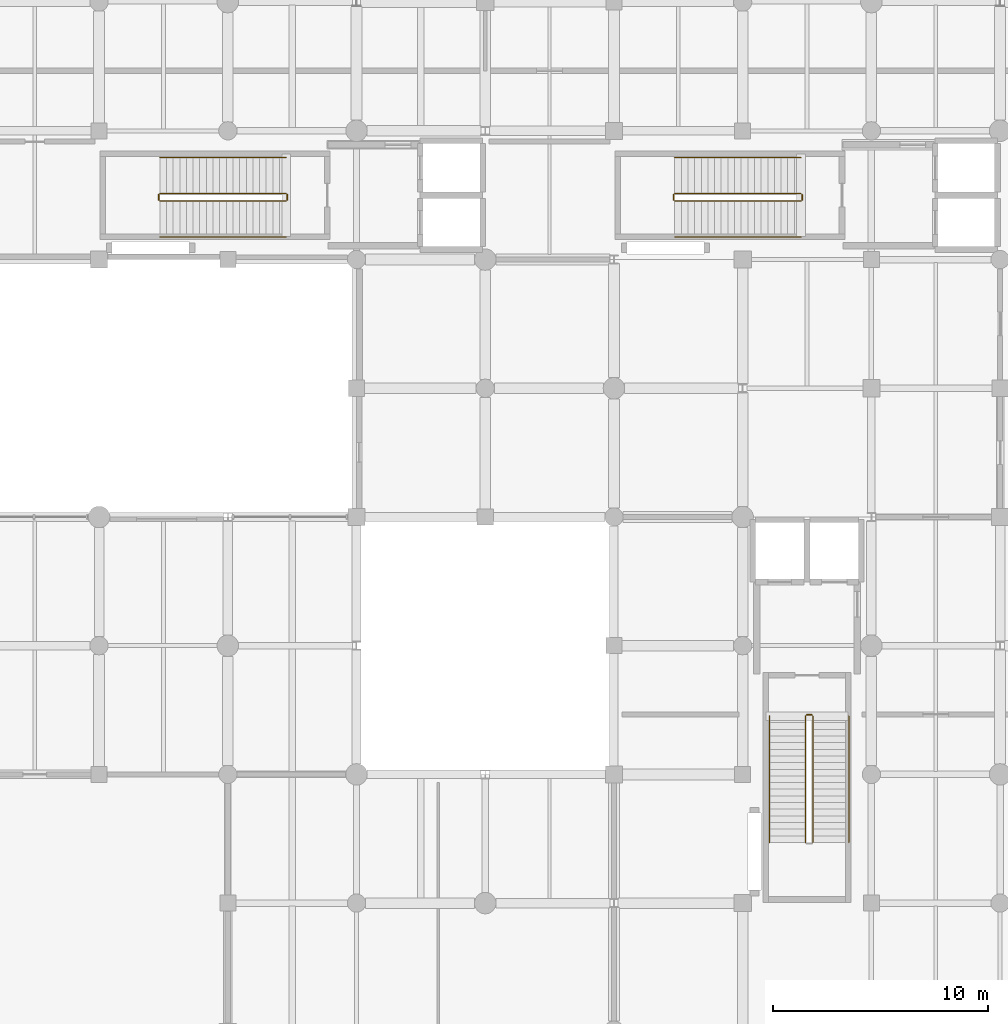
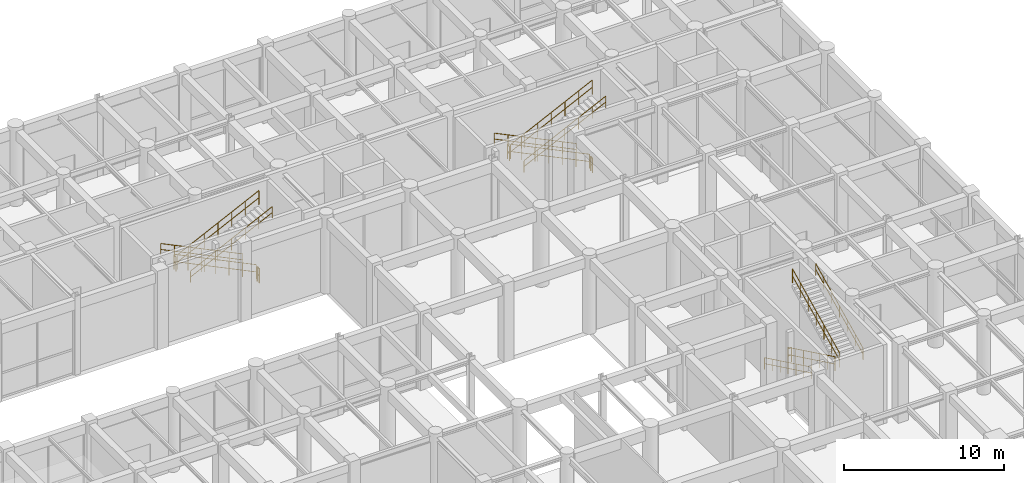
# One storey, part 106 of 106: 17 railings.
"""IFC4 building model written with IfcOpenShell, lengths in metres."""

from ifc_helpers import new_model, si_unit, direction, frame, origin, origin_2d, place, context, subcontext, project, spatial, circle, extrude, material, type_object, element, save


model = new_model("IFC4")

# Units and contexts
model_context = context("Model", 3, precision=1e-05, world=origin(), true_north=direction((0.0, 1.0)))
body_context = subcontext(model_context, "Body", "Model", "MODEL_VIEW")
ifc_project = project(units=[si_unit("LENGTHUNIT", "METRE"), si_unit("AREAUNIT", "SQUARE_METRE"), si_unit("VOLUMEUNIT", "CUBIC_METRE"), si_unit("PLANEANGLEUNIT", "RADIAN"), si_unit("MASSUNIT", "GRAM", prefix="KILO"), si_unit("THERMODYNAMICTEMPERATUREUNIT", "KELVIN"), si_unit("POWERUNIT", "WATT")], contexts=[model_context])

# Site, building, storey
site_placement = place(None, origin())
site = spatial("IfcSite", under=ifc_project, at=site_placement, CompositionType="ELEMENT")
building_placement = place(site_placement, origin())
building = spatial("IfcBuilding", under=site, at=building_placement, Name="Phaisarnlok Congress Hotel", CompositionType="ELEMENT")
storey_placement = place(building_placement, origin())
storey = spatial("IfcBuildingStorey", under=building, at=storey_placement, Name="L00", CompositionType="ELEMENT", Elevation=0.0)

# Railings
ifc_material_1 = material(Name="Painted Galvanised Steel S275", Category="steel")
railing_type_1 = type_object("IfcRailingType", Name="RLG-STR-GUARD", PredefinedType="BALUSTRADE", material=ifc_material_1)
railing_1_placement = place(storey_placement, frame((164.719970703125, 111.070068359375, 0.14990234375)))
element("IfcRailing", 1, at=railing_1_placement, inside=storey, type_object=railing_type_1, Name="L00 ST-05 stair guard 1", PredefinedType="BALUSTRADE", context=body_context, shape_type="SweptSolid", body=[
    extrude(circle(Radius=0.02392578125, at=origin_2d()), frame((0.0, 0.0, 1.076171875), z_axis=(-0.900150285036, 0.0, 0.435579458135), x_axis=(0.0, -1.0, 0.0)), (0.0, 0.0, 1.0), 6.543212890625),
    extrude(circle(Radius=0.02392578125, at=origin_2d()), frame((0.0, 0.0, 0.52587890625), z_axis=(-0.900150285036, 0.0, 0.435579458135), x_axis=(0.0, -1.0, 0.0)), (0.0, 0.0, 1.0), 6.543212890625),
    extrude(circle(Radius=0.02099609375, at=origin_2d()), origin(), (0.0, 0.0, 1.0), 1.052001953125),
    extrude(circle(Radius=0.02099609375, at=origin_2d()), frame((-0.981689453125, 0.0, 0.47509765625)), (0.0, 0.0, 1.0), 1.052001953125),
    extrude(circle(Radius=0.02099609375, at=origin_2d()), frame((-1.96337890625, 0.0, 0.949951171875)), (0.0, 0.0, 1.0), 1.052001953125),
    extrude(circle(Radius=0.02099609375, at=origin_2d()), frame((-2.94482421875, 0.0, 1.425048828125)), (0.0, 0.0, 1.0), 1.052001953125),
    extrude(circle(Radius=0.02099609375, at=origin_2d()), frame((-3.926513671875, 0.0, 1.900146484375)), (0.0, 0.0, 1.0), 1.052001953125),
    extrude(circle(Radius=0.02099609375, at=origin_2d()), frame((-4.908203125, 0.0, 2.375)), (0.0, 0.0, 1.0), 1.052001953125),
    extrude(circle(Radius=0.02099609375, at=origin_2d()), frame((-5.889892578125, 0.0, 2.85009765625)), (0.0, 0.0, 1.0), 1.052001953125),
])
railing_2_placement = place(storey_placement, frame((158.780029296875, 111.02001953125, 3.0)))
element("IfcRailing", 2, at=railing_2_placement, inside=storey, type_object=railing_type_1, Name="L00 ST-05 stair guard 2", PredefinedType="BALUSTRADE", context=body_context, shape_type="SweptSolid", body=[
    extrude(circle(Radius=0.02392578125, at=origin_2d()), frame((0.0, 0.0, 1.076171875), z_axis=(0.0, -1.0, 0.0), x_axis=(1.0, 0.0, 0.0)), (0.0, 0.0, 1.0), 0.239990234375),
    extrude(circle(Radius=0.02392578125, at=origin_2d()), frame((0.0, 0.0, 0.52587890625), z_axis=(0.0, -1.0, 0.0), x_axis=(1.0, 0.0, 0.0)), (0.0, 0.0, 1.0), 0.239990234375),
    extrude(circle(Radius=0.02099609375, at=origin_2d()), origin(), (0.0, 0.0, 1.0), 1.052001953125),
    extrude(circle(Radius=0.02099609375, at=origin_2d()), frame((0.0, -0.239990234375, 0.0)), (0.0, 0.0, 1.0), 1.052001953125),
])
railing_3_placement = place(storey_placement, frame((158.830078125, 110.72998046875, 3.14990234375)))
element("IfcRailing", 3, at=railing_3_placement, inside=storey, type_object=railing_type_1, Name="L00 ST-05 stair guard 3", PredefinedType="BALUSTRADE", context=body_context, shape_type="SweptSolid", body=[
    extrude(circle(Radius=0.02392578125, at=origin_2d()), frame((0.0, 0.0, 1.076171875), z_axis=(0.900150285036, 0.0, 0.435579458135), x_axis=(0.0, 1.0, 0.0)), (0.0, 0.0, 1.0), 6.543212890625),
    extrude(circle(Radius=0.02392578125, at=origin_2d()), frame((0.0, 0.0, 0.52587890625), z_axis=(0.900150285036, 0.0, 0.435579458135), x_axis=(0.0, 1.0, 0.0)), (0.0, 0.0, 1.0), 6.543212890625),
    extrude(circle(Radius=0.02099609375, at=origin_2d()), origin(), (0.0, 0.0, 1.0), 1.052001953125),
    extrude(circle(Radius=0.02099609375, at=origin_2d()), frame((0.981689453125, 0.0, 0.47509765625)), (0.0, 0.0, 1.0), 1.052001953125),
    extrude(circle(Radius=0.02099609375, at=origin_2d()), frame((1.96337890625, 0.0, 0.949951171875)), (0.0, 0.0, 1.0), 1.052001953125),
    extrude(circle(Radius=0.02099609375, at=origin_2d()), frame((2.94482421875, 0.0, 1.425048828125)), (0.0, 0.0, 1.0), 1.052001953125),
    extrude(circle(Radius=0.02099609375, at=origin_2d()), frame((3.926513671875, 0.0, 1.900146484375)), (0.0, 0.0, 1.0), 1.052001953125),
    extrude(circle(Radius=0.02099609375, at=origin_2d()), frame((4.908203125, 0.0, 2.375)), (0.0, 0.0, 1.0), 1.052001953125),
    extrude(circle(Radius=0.02099609375, at=origin_2d()), frame((5.889892578125, 0.0, 2.85009765625)), (0.0, 0.0, 1.0), 1.052001953125),
])
railing_4_placement = place(storey_placement, frame((164.77001953125, 111.02001953125, 0.0)))
element("IfcRailing", 4, at=railing_4_placement, inside=storey, type_object=railing_type_1, Name="L00 ST-05 stair guard 4", PredefinedType="BALUSTRADE", context=body_context, shape_type="SweptSolid", body=[
    extrude(circle(Radius=0.02392578125, at=origin_2d()), frame((0.0, 0.0, 1.076171875), z_axis=(0.0, -1.0, 0.0), x_axis=(1.0, 0.0, 0.0)), (0.0, 0.0, 1.0), 0.239990234375),
    extrude(circle(Radius=0.02392578125, at=origin_2d()), frame((0.0, 0.0, 0.52587890625), z_axis=(0.0, -1.0, 0.0), x_axis=(1.0, 0.0, 0.0)), (0.0, 0.0, 1.0), 0.239990234375),
    extrude(circle(Radius=0.02099609375, at=origin_2d()), origin(), (0.0, 0.0, 1.0), 1.052001953125),
    extrude(circle(Radius=0.02099609375, at=origin_2d()), frame((0.0, -0.239990234375, 0.0)), (0.0, 0.0, 1.0), 1.052001953125),
])
railing_5_placement = place(storey_placement, frame((140.719970703125, 111.070068359375, 0.14990234375)))
element("IfcRailing", 5, at=railing_5_placement, inside=storey, type_object=railing_type_1, Name="L00 ST-06 stair guard 1", PredefinedType="BALUSTRADE", context=body_context, shape_type="SweptSolid", body=[
    extrude(circle(Radius=0.02392578125, at=origin_2d()), frame((0.0, 0.0, 1.076171875), z_axis=(-0.900150285036, 0.0, 0.435579458135), x_axis=(0.0, -1.0, 0.0)), (0.0, 0.0, 1.0), 6.543212890625),
    extrude(circle(Radius=0.02392578125, at=origin_2d()), frame((0.0, 0.0, 0.52587890625), z_axis=(-0.900150285036, 0.0, 0.435579458135), x_axis=(0.0, -1.0, 0.0)), (0.0, 0.0, 1.0), 6.543212890625),
    extrude(circle(Radius=0.02099609375, at=origin_2d()), origin(), (0.0, 0.0, 1.0), 1.052001953125),
    extrude(circle(Radius=0.02099609375, at=origin_2d()), frame((-0.981689453125, 0.0, 0.47509765625)), (0.0, 0.0, 1.0), 1.052001953125),
    extrude(circle(Radius=0.02099609375, at=origin_2d()), frame((-1.96337890625, 0.0, 0.949951171875)), (0.0, 0.0, 1.0), 1.052001953125),
    extrude(circle(Radius=0.02099609375, at=origin_2d()), frame((-2.94482421875, 0.0, 1.425048828125)), (0.0, 0.0, 1.0), 1.052001953125),
    extrude(circle(Radius=0.02099609375, at=origin_2d()), frame((-3.926513671875, 0.0, 1.900146484375)), (0.0, 0.0, 1.0), 1.052001953125),
    extrude(circle(Radius=0.02099609375, at=origin_2d()), frame((-4.908203125, 0.0, 2.375)), (0.0, 0.0, 1.0), 1.052001953125),
    extrude(circle(Radius=0.02099609375, at=origin_2d()), frame((-5.889892578125, 0.0, 2.85009765625)), (0.0, 0.0, 1.0), 1.052001953125),
])
railing_6_placement = place(storey_placement, frame((134.780029296875, 111.02001953125, 3.0)))
element("IfcRailing", 6, at=railing_6_placement, inside=storey, type_object=railing_type_1, Name="L00 ST-06 stair guard 2", PredefinedType="BALUSTRADE", context=body_context, shape_type="SweptSolid", body=[
    extrude(circle(Radius=0.02392578125, at=origin_2d()), frame((0.0, 0.0, 1.076171875), z_axis=(0.0, -1.0, 0.0), x_axis=(1.0, 0.0, 0.0)), (0.0, 0.0, 1.0), 0.239990234375),
    extrude(circle(Radius=0.02392578125, at=origin_2d()), frame((0.0, 0.0, 0.52587890625), z_axis=(0.0, -1.0, 0.0), x_axis=(1.0, 0.0, 0.0)), (0.0, 0.0, 1.0), 0.239990234375),
    extrude(circle(Radius=0.02099609375, at=origin_2d()), origin(), (0.0, 0.0, 1.0), 1.052001953125),
    extrude(circle(Radius=0.02099609375, at=origin_2d()), frame((0.0, -0.239990234375, 0.0)), (0.0, 0.0, 1.0), 1.052001953125),
])
railing_7_placement = place(storey_placement, frame((134.830078125, 110.72998046875, 3.14990234375)))
element("IfcRailing", 7, at=railing_7_placement, inside=storey, type_object=railing_type_1, Name="L00 ST-06 stair guard 3", PredefinedType="BALUSTRADE", context=body_context, shape_type="SweptSolid", body=[
    extrude(circle(Radius=0.02392578125, at=origin_2d()), frame((0.0, 0.0, 1.076171875), z_axis=(0.900150285036, 0.0, 0.435579458135), x_axis=(0.0, 1.0, 0.0)), (0.0, 0.0, 1.0), 6.543212890625),
    extrude(circle(Radius=0.02392578125, at=origin_2d()), frame((0.0, 0.0, 0.52587890625), z_axis=(0.900150285036, 0.0, 0.435579458135), x_axis=(0.0, 1.0, 0.0)), (0.0, 0.0, 1.0), 6.543212890625),
    extrude(circle(Radius=0.02099609375, at=origin_2d()), origin(), (0.0, 0.0, 1.0), 1.052001953125),
    extrude(circle(Radius=0.02099609375, at=origin_2d()), frame((0.981689453125, 0.0, 0.47509765625)), (0.0, 0.0, 1.0), 1.052001953125),
    extrude(circle(Radius=0.02099609375, at=origin_2d()), frame((1.96337890625, 0.0, 0.949951171875)), (0.0, 0.0, 1.0), 1.052001953125),
    extrude(circle(Radius=0.02099609375, at=origin_2d()), frame((2.94482421875, 0.0, 1.425048828125)), (0.0, 0.0, 1.0), 1.052001953125),
    extrude(circle(Radius=0.02099609375, at=origin_2d()), frame((3.926513671875, 0.0, 1.900146484375)), (0.0, 0.0, 1.0), 1.052001953125),
    extrude(circle(Radius=0.02099609375, at=origin_2d()), frame((4.908203125, 0.0, 2.375)), (0.0, 0.0, 1.0), 1.052001953125),
    extrude(circle(Radius=0.02099609375, at=origin_2d()), frame((5.889892578125, 0.0, 2.85009765625)), (0.0, 0.0, 1.0), 1.052001953125),
])
railing_8_placement = place(storey_placement, frame((140.77001953125, 111.02001953125, 0.0)))
element("IfcRailing", 8, at=railing_8_placement, inside=storey, type_object=railing_type_1, Name="L00 ST-06 stair guard 4", PredefinedType="BALUSTRADE", context=body_context, shape_type="SweptSolid", body=[
    extrude(circle(Radius=0.02392578125, at=origin_2d()), frame((0.0, 0.0, 1.076171875), z_axis=(0.0, -1.0, 0.0), x_axis=(1.0, 0.0, 0.0)), (0.0, 0.0, 1.0), 0.239990234375),
    extrude(circle(Radius=0.02392578125, at=origin_2d()), frame((0.0, 0.0, 0.52587890625), z_axis=(0.0, -1.0, 0.0), x_axis=(1.0, 0.0, 0.0)), (0.0, 0.0, 1.0), 0.239990234375),
    extrude(circle(Radius=0.02099609375, at=origin_2d()), origin(), (0.0, 0.0, 1.0), 1.052001953125),
    extrude(circle(Radius=0.02099609375, at=origin_2d()), frame((0.0, -0.239990234375, 0.0)), (0.0, 0.0, 1.0), 1.052001953125),
])
railing_9_placement = place(storey_placement, frame((164.929931640625, 86.719970703125, 0.14990234375)))
element("IfcRailing", 9, at=railing_9_placement, inside=storey, type_object=railing_type_1, Name="L00 ST-09 stair guard 1", PredefinedType="BALUSTRADE", context=body_context, shape_type="SweptSolid", body=[
    extrude(circle(Radius=0.02392578125, at=origin_2d()), frame((0.0, 0.0, 1.076171875), z_axis=(0.0, -0.900150285036, 0.435579458135), x_axis=(1.0, 0.0, 0.0)), (0.0, 0.0, 1.0), 6.543212890625),
    extrude(circle(Radius=0.02392578125, at=origin_2d()), frame((0.0, 0.0, 0.52587890625), z_axis=(0.0, -0.900150285036, 0.435579458135), x_axis=(1.0, 0.0, 0.0)), (0.0, 0.0, 1.0), 6.543212890625),
    extrude(circle(Radius=0.02099609375, at=origin_2d()), origin(), (0.0, 0.0, 1.0), 1.052001953125),
    extrude(circle(Radius=0.02099609375, at=origin_2d()), frame((0.0, -0.981689453125, 0.47509765625)), (0.0, 0.0, 1.0), 1.052001953125),
    extrude(circle(Radius=0.02099609375, at=origin_2d()), frame((0.0, -1.96337890625, 0.949951171875)), (0.0, 0.0, 1.0), 1.052001953125),
    extrude(circle(Radius=0.02099609375, at=origin_2d()), frame((0.0, -2.94482421875, 1.425048828125)), (0.0, 0.0, 1.0), 1.052001953125),
    extrude(circle(Radius=0.02099609375, at=origin_2d()), frame((0.0, -3.926513671875, 1.900146484375)), (0.0, 0.0, 1.0), 1.052001953125),
    extrude(circle(Radius=0.02099609375, at=origin_2d()), frame((0.0, -4.908203125, 2.375)), (0.0, 0.0, 1.0), 1.052001953125),
    extrude(circle(Radius=0.02099609375, at=origin_2d()), frame((0.0, -5.889892578125, 2.85009765625)), (0.0, 0.0, 1.0), 1.052001953125),
])
railing_10_placement = place(storey_placement, frame((165.27001953125, 80.830078125, 3.14990234375)))
element("IfcRailing", 10, at=railing_10_placement, inside=storey, type_object=railing_type_1, Name="L00 ST-09 stair guard 3", PredefinedType="BALUSTRADE", context=body_context, shape_type="SweptSolid", body=[
    extrude(circle(Radius=0.02392578125, at=origin_2d()), frame((0.0, 0.0, 1.076171875), z_axis=(0.0, 0.900150285036, 0.435579458135), x_axis=(-1.0, 0.0, 0.0)), (0.0, 0.0, 1.0), 6.543212890625),
    extrude(circle(Radius=0.02392578125, at=origin_2d()), frame((0.0, 0.0, 0.52587890625), z_axis=(0.0, 0.900150285036, 0.435579458135), x_axis=(-1.0, 0.0, 0.0)), (0.0, 0.0, 1.0), 6.543212890625),
    extrude(circle(Radius=0.02099609375, at=origin_2d()), origin(), (0.0, 0.0, 1.0), 1.052001953125),
    extrude(circle(Radius=0.02099609375, at=origin_2d()), frame((0.0, 0.981689453125, 0.47509765625)), (0.0, 0.0, 1.0), 1.052001953125),
    extrude(circle(Radius=0.02099609375, at=origin_2d()), frame((0.0, 1.96337890625, 0.949951171875)), (0.0, 0.0, 1.0), 1.052001953125),
    extrude(circle(Radius=0.02099609375, at=origin_2d()), frame((0.0, 2.94482421875, 1.425048828125)), (0.0, 0.0, 1.0), 1.052001953125),
    extrude(circle(Radius=0.02099609375, at=origin_2d()), frame((0.0, 3.926513671875, 1.900146484375)), (0.0, 0.0, 1.0), 1.052001953125),
    extrude(circle(Radius=0.02099609375, at=origin_2d()), frame((0.0, 4.908203125, 2.375)), (0.0, 0.0, 1.0), 1.052001953125),
    extrude(circle(Radius=0.02099609375, at=origin_2d()), frame((0.0, 5.889892578125, 2.85009765625)), (0.0, 0.0, 1.0), 1.052001953125),
])
railing_11_placement = place(storey_placement, frame((164.97998046875, 86.77001953125, 0.0)))
element("IfcRailing", 11, at=railing_11_placement, inside=storey, type_object=railing_type_1, Name="L00 ST-09 stair guard 4", PredefinedType="BALUSTRADE", context=body_context, shape_type="SweptSolid", body=[
    extrude(circle(Radius=0.02392578125, at=origin_2d()), frame((0.0, 0.0, 1.076171875), z_axis=(1.0, 0.0, 0.0), x_axis=(0.0, 1.0, 0.0)), (0.0, 0.0, 1.0), 0.239990234375),
    extrude(circle(Radius=0.02392578125, at=origin_2d()), frame((0.0, 0.0, 0.52587890625), z_axis=(1.0, 0.0, 0.0), x_axis=(0.0, 1.0, 0.0)), (0.0, 0.0, 1.0), 0.239990234375),
    extrude(circle(Radius=0.02099609375, at=origin_2d()), origin(), (0.0, 0.0, 1.0), 1.052001953125),
    extrude(circle(Radius=0.02099609375, at=origin_2d()), frame((0.239990234375, 0.0, 0.0)), (0.0, 0.0, 1.0), 1.052001953125),
])
ifc_material_2 = material(Name="Brushed Stainless Steel Grade 304", Category="steel")
railing_type_2 = type_object("IfcRailingType", Name="RLG-STR-HRAIL", PredefinedType="HANDRAIL", material=ifc_material_2)
railing_12_placement = place(storey_placement, frame((164.719970703125, 112.75, 0.14990234375)))
element("IfcRailing", 12, at=railing_12_placement, inside=storey, type_object=railing_type_2, Name="L00 ST-05 stair handrail 1", PredefinedType="HANDRAIL", context=body_context, shape_type="SweptSolid", body=[
    extrude(circle(Radius=0.02392578125, at=origin_2d()), frame((0.0, 0.0, 0.8759765625), z_axis=(-0.900150285036, 0.0, 0.435579458135), x_axis=(0.0, -1.0, 0.0)), (0.0, 0.0, 1.0), 6.543212890625),
    extrude(circle(Radius=0.02392578125, at=origin_2d()), frame((0.0, 0.0, 0.42578125), z_axis=(-0.900150285036, 0.0, 0.435579458135), x_axis=(0.0, -1.0, 0.0)), (0.0, 0.0, 1.0), 6.543212890625),
    extrude(circle(Radius=0.02099609375, at=origin_2d()), origin(), (0.0, 0.0, 1.0), 0.851806640625),
    extrude(circle(Radius=0.02099609375, at=origin_2d()), frame((-0.981689453125, 0.0, 0.47509765625)), (0.0, 0.0, 1.0), 0.851806640625),
    extrude(circle(Radius=0.02099609375, at=origin_2d()), frame((-1.96337890625, 0.0, 0.949951171875)), (0.0, 0.0, 1.0), 0.851806640625),
    extrude(circle(Radius=0.02099609375, at=origin_2d()), frame((-2.94482421875, 0.0, 1.425048828125)), (0.0, 0.0, 1.0), 0.851806640625),
    extrude(circle(Radius=0.02099609375, at=origin_2d()), frame((-3.926513671875, 0.0, 1.900146484375)), (0.0, 0.0, 1.0), 0.851806640625),
    extrude(circle(Radius=0.02099609375, at=origin_2d()), frame((-4.908203125, 0.0, 2.375)), (0.0, 0.0, 1.0), 0.851806640625),
    extrude(circle(Radius=0.02099609375, at=origin_2d()), frame((-5.889892578125, 0.0, 2.85009765625)), (0.0, 0.0, 1.0), 0.851806640625),
])
railing_13_placement = place(storey_placement, frame((158.830078125, 109.050048828125, 3.14990234375)))
element("IfcRailing", 13, at=railing_13_placement, inside=storey, type_object=railing_type_2, Name="L00 ST-05 stair handrail 2", PredefinedType="HANDRAIL", context=body_context, shape_type="SweptSolid", body=[
    extrude(circle(Radius=0.02392578125, at=origin_2d()), frame((0.0, 0.0, 0.8759765625), z_axis=(0.900150285036, 0.0, 0.435579458135), x_axis=(0.0, 1.0, 0.0)), (0.0, 0.0, 1.0), 6.543212890625),
    extrude(circle(Radius=0.02392578125, at=origin_2d()), frame((0.0, 0.0, 0.42578125), z_axis=(0.900150285036, 0.0, 0.435579458135), x_axis=(0.0, 1.0, 0.0)), (0.0, 0.0, 1.0), 6.543212890625),
    extrude(circle(Radius=0.02099609375, at=origin_2d()), origin(), (0.0, 0.0, 1.0), 0.851806640625),
    extrude(circle(Radius=0.02099609375, at=origin_2d()), frame((0.981689453125, 0.0, 0.47509765625)), (0.0, 0.0, 1.0), 0.851806640625),
    extrude(circle(Radius=0.02099609375, at=origin_2d()), frame((1.96337890625, 0.0, 0.949951171875)), (0.0, 0.0, 1.0), 0.851806640625),
    extrude(circle(Radius=0.02099609375, at=origin_2d()), frame((2.94482421875, 0.0, 1.425048828125)), (0.0, 0.0, 1.0), 0.851806640625),
    extrude(circle(Radius=0.02099609375, at=origin_2d()), frame((3.926513671875, 0.0, 1.900146484375)), (0.0, 0.0, 1.0), 0.851806640625),
    extrude(circle(Radius=0.02099609375, at=origin_2d()), frame((4.908203125, 0.0, 2.375)), (0.0, 0.0, 1.0), 0.851806640625),
    extrude(circle(Radius=0.02099609375, at=origin_2d()), frame((5.889892578125, 0.0, 2.85009765625)), (0.0, 0.0, 1.0), 0.851806640625),
])
railing_14_placement = place(storey_placement, frame((140.719970703125, 112.75, 0.14990234375)))
element("IfcRailing", 14, at=railing_14_placement, inside=storey, type_object=railing_type_2, Name="L00 ST-06 stair handrail 1", PredefinedType="HANDRAIL", context=body_context, shape_type="SweptSolid", body=[
    extrude(circle(Radius=0.02392578125, at=origin_2d()), frame((0.0, 0.0, 0.8759765625), z_axis=(-0.900150285036, 0.0, 0.435579458135), x_axis=(0.0, -1.0, 0.0)), (0.0, 0.0, 1.0), 6.543212890625),
    extrude(circle(Radius=0.02392578125, at=origin_2d()), frame((0.0, 0.0, 0.42578125), z_axis=(-0.900150285036, 0.0, 0.435579458135), x_axis=(0.0, -1.0, 0.0)), (0.0, 0.0, 1.0), 6.543212890625),
    extrude(circle(Radius=0.02099609375, at=origin_2d()), origin(), (0.0, 0.0, 1.0), 0.851806640625),
    extrude(circle(Radius=0.02099609375, at=origin_2d()), frame((-0.981689453125, 0.0, 0.47509765625)), (0.0, 0.0, 1.0), 0.851806640625),
    extrude(circle(Radius=0.02099609375, at=origin_2d()), frame((-1.96337890625, 0.0, 0.949951171875)), (0.0, 0.0, 1.0), 0.851806640625),
    extrude(circle(Radius=0.02099609375, at=origin_2d()), frame((-2.94482421875, 0.0, 1.425048828125)), (0.0, 0.0, 1.0), 0.851806640625),
    extrude(circle(Radius=0.02099609375, at=origin_2d()), frame((-3.926513671875, 0.0, 1.900146484375)), (0.0, 0.0, 1.0), 0.851806640625),
    extrude(circle(Radius=0.02099609375, at=origin_2d()), frame((-4.908203125, 0.0, 2.375)), (0.0, 0.0, 1.0), 0.851806640625),
    extrude(circle(Radius=0.02099609375, at=origin_2d()), frame((-5.889892578125, 0.0, 2.85009765625)), (0.0, 0.0, 1.0), 0.851806640625),
])
railing_15_placement = place(storey_placement, frame((134.830078125, 109.050048828125, 3.14990234375)))
element("IfcRailing", 15, at=railing_15_placement, inside=storey, type_object=railing_type_2, Name="L00 ST-06 stair handrail 2", PredefinedType="HANDRAIL", context=body_context, shape_type="SweptSolid", body=[
    extrude(circle(Radius=0.02392578125, at=origin_2d()), frame((0.0, 0.0, 0.8759765625), z_axis=(0.900150285036, 0.0, 0.435579458135), x_axis=(0.0, 1.0, 0.0)), (0.0, 0.0, 1.0), 6.543212890625),
    extrude(circle(Radius=0.02392578125, at=origin_2d()), frame((0.0, 0.0, 0.42578125), z_axis=(0.900150285036, 0.0, 0.435579458135), x_axis=(0.0, 1.0, 0.0)), (0.0, 0.0, 1.0), 6.543212890625),
    extrude(circle(Radius=0.02099609375, at=origin_2d()), origin(), (0.0, 0.0, 1.0), 0.851806640625),
    extrude(circle(Radius=0.02099609375, at=origin_2d()), frame((0.981689453125, 0.0, 0.47509765625)), (0.0, 0.0, 1.0), 0.851806640625),
    extrude(circle(Radius=0.02099609375, at=origin_2d()), frame((1.96337890625, 0.0, 0.949951171875)), (0.0, 0.0, 1.0), 0.851806640625),
    extrude(circle(Radius=0.02099609375, at=origin_2d()), frame((2.94482421875, 0.0, 1.425048828125)), (0.0, 0.0, 1.0), 0.851806640625),
    extrude(circle(Radius=0.02099609375, at=origin_2d()), frame((3.926513671875, 0.0, 1.900146484375)), (0.0, 0.0, 1.0), 0.851806640625),
    extrude(circle(Radius=0.02099609375, at=origin_2d()), frame((4.908203125, 0.0, 2.375)), (0.0, 0.0, 1.0), 0.851806640625),
    extrude(circle(Radius=0.02099609375, at=origin_2d()), frame((5.889892578125, 0.0, 2.85009765625)), (0.0, 0.0, 1.0), 0.851806640625),
])
railing_16_placement = place(storey_placement, frame((163.25, 86.719970703125, 0.14990234375)))
element("IfcRailing", 16, at=railing_16_placement, inside=storey, type_object=railing_type_2, Name="L00 ST-09 stair handrail 1", PredefinedType="HANDRAIL", context=body_context, shape_type="SweptSolid", body=[
    extrude(circle(Radius=0.02392578125, at=origin_2d()), frame((0.0, 0.0, 0.8759765625), z_axis=(0.0, -0.900150285036, 0.435579458135), x_axis=(1.0, 0.0, 0.0)), (0.0, 0.0, 1.0), 6.543212890625),
    extrude(circle(Radius=0.02392578125, at=origin_2d()), frame((0.0, 0.0, 0.42578125), z_axis=(0.0, -0.900150285036, 0.435579458135), x_axis=(1.0, 0.0, 0.0)), (0.0, 0.0, 1.0), 6.543212890625),
    extrude(circle(Radius=0.02099609375, at=origin_2d()), origin(), (0.0, 0.0, 1.0), 0.851806640625),
    extrude(circle(Radius=0.02099609375, at=origin_2d()), frame((0.0, -0.981689453125, 0.47509765625)), (0.0, 0.0, 1.0), 0.851806640625),
    extrude(circle(Radius=0.02099609375, at=origin_2d()), frame((0.0, -1.96337890625, 0.949951171875)), (0.0, 0.0, 1.0), 0.851806640625),
    extrude(circle(Radius=0.02099609375, at=origin_2d()), frame((0.0, -2.94482421875, 1.425048828125)), (0.0, 0.0, 1.0), 0.851806640625),
    extrude(circle(Radius=0.02099609375, at=origin_2d()), frame((0.0, -3.926513671875, 1.900146484375)), (0.0, 0.0, 1.0), 0.851806640625),
    extrude(circle(Radius=0.02099609375, at=origin_2d()), frame((0.0, -4.908203125, 2.375)), (0.0, 0.0, 1.0), 0.851806640625),
    extrude(circle(Radius=0.02099609375, at=origin_2d()), frame((0.0, -5.889892578125, 2.85009765625)), (0.0, 0.0, 1.0), 0.851806640625),
])
railing_17_placement = place(storey_placement, frame((166.949951171875, 80.830078125, 3.14990234375)))
element("IfcRailing", 17, at=railing_17_placement, inside=storey, type_object=railing_type_2, Name="L00 ST-09 stair handrail 2", PredefinedType="HANDRAIL", context=body_context, shape_type="SweptSolid", body=[
    extrude(circle(Radius=0.02392578125, at=origin_2d()), frame((0.0, 0.0, 0.8759765625), z_axis=(0.0, 0.900150285036, 0.435579458135), x_axis=(-1.0, 0.0, 0.0)), (0.0, 0.0, 1.0), 6.543212890625),
    extrude(circle(Radius=0.02392578125, at=origin_2d()), frame((0.0, 0.0, 0.42578125), z_axis=(0.0, 0.900150285036, 0.435579458135), x_axis=(-1.0, 0.0, 0.0)), (0.0, 0.0, 1.0), 6.543212890625),
    extrude(circle(Radius=0.02099609375, at=origin_2d()), origin(), (0.0, 0.0, 1.0), 0.851806640625),
    extrude(circle(Radius=0.02099609375, at=origin_2d()), frame((0.0, 0.981689453125, 0.47509765625)), (0.0, 0.0, 1.0), 0.851806640625),
    extrude(circle(Radius=0.02099609375, at=origin_2d()), frame((0.0, 1.96337890625, 0.949951171875)), (0.0, 0.0, 1.0), 0.851806640625),
    extrude(circle(Radius=0.02099609375, at=origin_2d()), frame((0.0, 2.94482421875, 1.425048828125)), (0.0, 0.0, 1.0), 0.851806640625),
    extrude(circle(Radius=0.02099609375, at=origin_2d()), frame((0.0, 3.926513671875, 1.900146484375)), (0.0, 0.0, 1.0), 0.851806640625),
    extrude(circle(Radius=0.02099609375, at=origin_2d()), frame((0.0, 4.908203125, 2.375)), (0.0, 0.0, 1.0), 0.851806640625),
    extrude(circle(Radius=0.02099609375, at=origin_2d()), frame((0.0, 5.889892578125, 2.85009765625)), (0.0, 0.0, 1.0), 0.851806640625),
])

save(model, "model.ifc")
